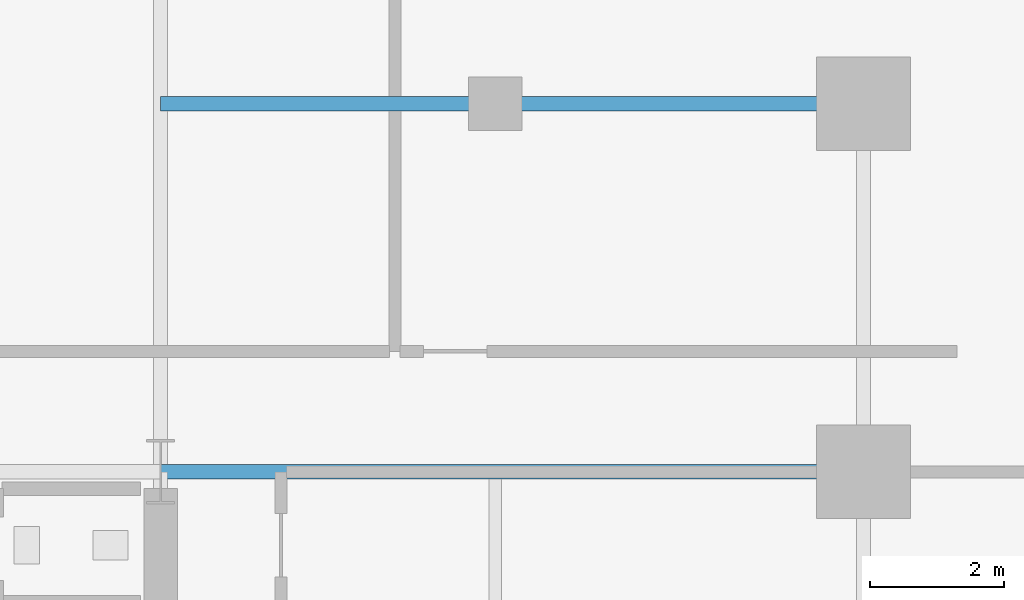
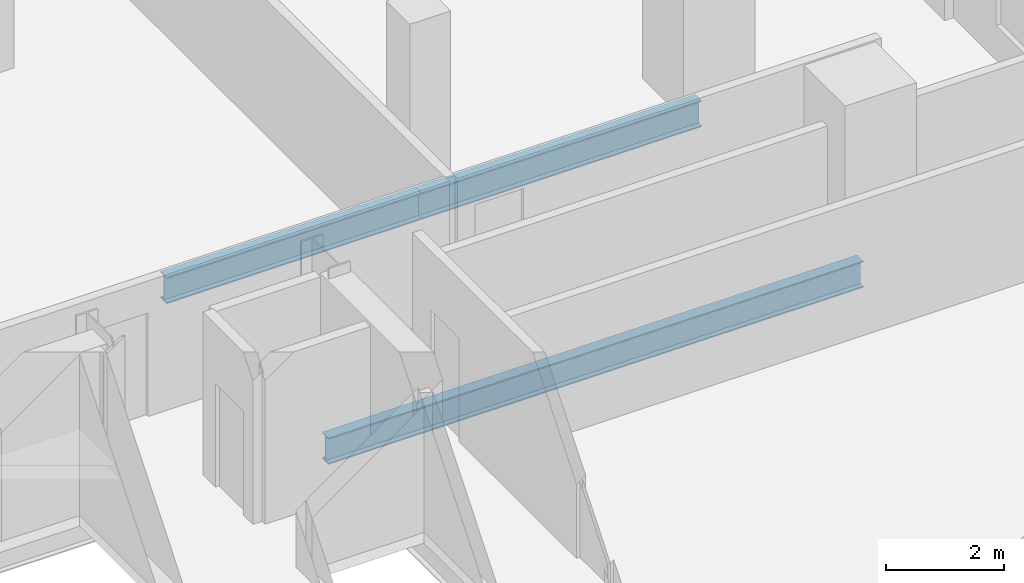
# One storey, part 14 of 21: 3 beams.
"""IFC4 building model written with IfcOpenShell, lengths in metres."""

from ifc_helpers import new_model, si_unit, direction, frame, origin, origin_2d, place, context, subcontext, project, spatial, i_section, extrude, material, material_profile, profile_set, type_object, element, save


model = new_model("IFC4")

# Units and contexts
model_context = context("Model", 3, precision=1e-05, world=origin(), true_north=direction((0.0, 1.0)))
body_context = subcontext(model_context, "Body", "Model", "MODEL_VIEW")
ifc_project = project(units=[si_unit("LENGTHUNIT", "METRE"), si_unit("AREAUNIT", "SQUARE_METRE"), si_unit("VOLUMEUNIT", "CUBIC_METRE"), si_unit("PLANEANGLEUNIT", "RADIAN"), si_unit("MASSUNIT", "GRAM", prefix="KILO")], contexts=[model_context])

# Site, building, storey
site_placement = place(None, origin())
site = spatial("IfcSite", under=ifc_project, at=site_placement, CompositionType="ELEMENT")
building_placement = place(site_placement, origin())
building = spatial("IfcBuilding", under=site, at=building_placement, Name="Barlavira Tower and Art Museum", CompositionType="ELEMENT")
storey_placement = place(building_placement, frame((0.0, 0.0, 86.39990234375)))
storey = spatial("IfcBuildingStorey", under=building, at=storey_placement, Name="L21", CompositionType="ELEMENT", Elevation=86.39990234375)

# Beams
ifc_material = material(Name="Steel S355", Category="steel")
ifc_material_profile = material_profile(ifc_material, i_section(OverallWidth=0.214111328125, OverallDepth=0.549072265625, WebThickness=0.0146484375, FlangeThickness=0.023681640625, at=origin_2d()), Name="W530x138.0")
ifc_profile_set = profile_set([ifc_material_profile], Name="Steel S355")
beam_type = type_object("IfcBeamType", Name="Zone 1 Primary Floor Girder W530x138 Steel S355", PredefinedType="BEAM", material=ifc_profile_set)
beam_1_placement = place(storey_placement, frame((6.5, 7.5, -0.494384765625), z_axis=(1.0, 0.0, 0.0), x_axis=(0.0, 1.0, 0.0)))
element("IfcBeam", 1, at=beam_1_placement, inside=storey, type_object=beam_type, Name="L21 Girder R-E2", PredefinedType="BEAM", context=body_context, shape_type="SweptSolid", body=[
    extrude(i_section(OverallWidth=0.214111328125, OverallDepth=0.549072265625, WebThickness=0.0146484375, FlangeThickness=0.023681640625, at=origin_2d()), origin(), (0.0, 0.0, 1.0), 10.5),
])
beam_2_placement = place(storey_placement, frame((6.5, 13.0, -0.494384765625), z_axis=(1.0, 0.0, 0.0), x_axis=(0.0, 1.0, 0.0)))
element("IfcBeam", 2, at=beam_2_placement, inside=storey, type_object=beam_type, Name="L21 Girder I-N3", PredefinedType="BEAM", context=body_context, shape_type="SweptSolid", body=[
    extrude(i_section(OverallWidth=0.214111328125, OverallDepth=0.549072265625, WebThickness=0.0146484375, FlangeThickness=0.023681640625, at=origin_2d()), origin(), (0.0, 0.0, 1.0), 5.0),
])
beam_3_placement = place(storey_placement, frame((11.5, 13.0, -0.494384765625), z_axis=(1.0, 0.0, 0.0), x_axis=(0.0, 1.0, 0.0)))
element("IfcBeam", 3, at=beam_3_placement, inside=storey, type_object=beam_type, Name="L21 Girder I-N4", PredefinedType="BEAM", context=body_context, shape_type="SweptSolid", body=[
    extrude(i_section(OverallWidth=0.214111328125, OverallDepth=0.549072265625, WebThickness=0.0146484375, FlangeThickness=0.023681640625, at=origin_2d()), origin(), (0.0, 0.0, 1.0), 5.5),
])

save(model, "model.ifc")
